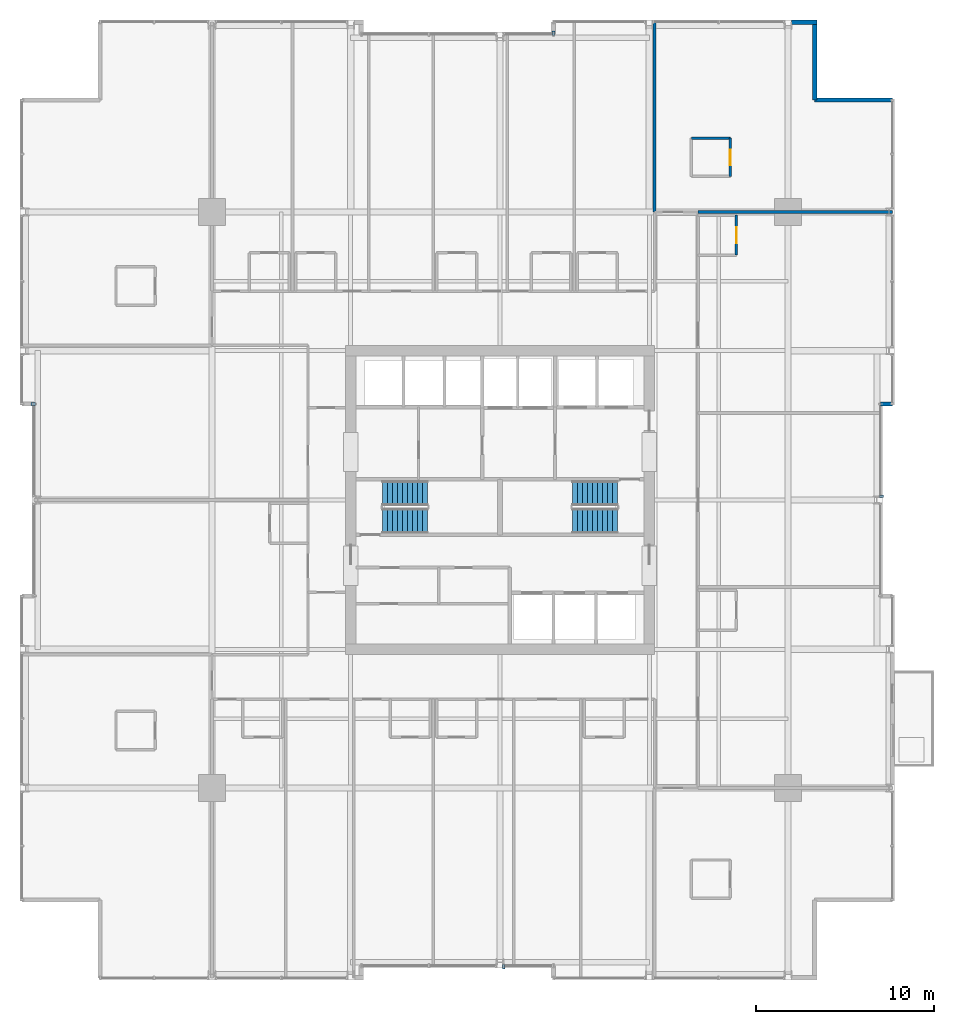
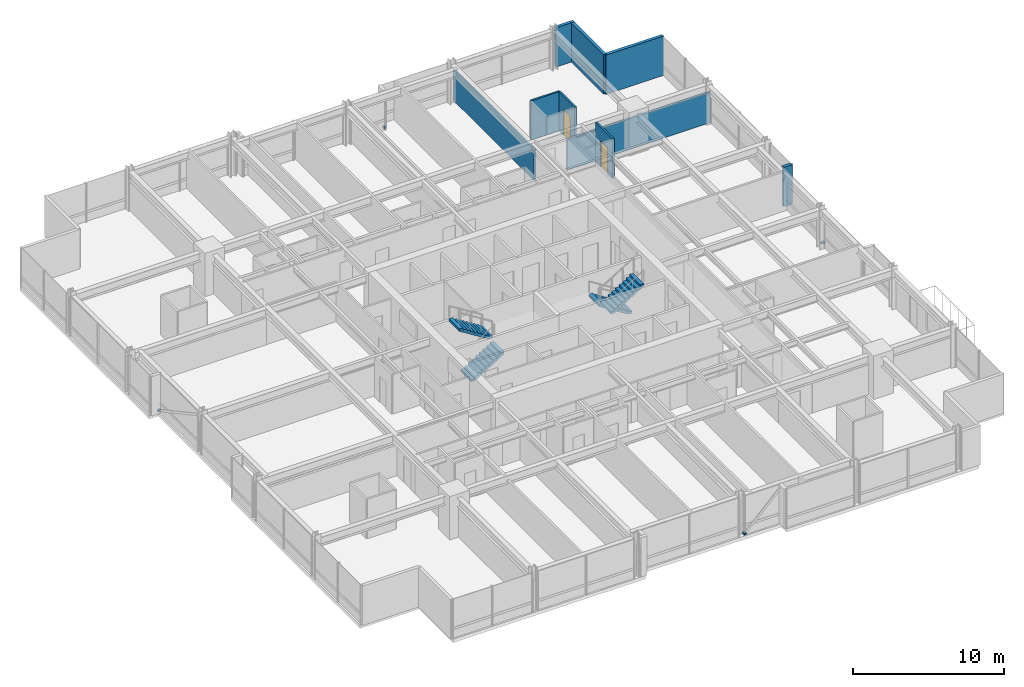
# One storey, part 32 of 35: 9 walls, 4 discrete accessories, 4 stair flights, 2 doors, 2 openings, 2 elements without a shape of their own.
"""IFC4 building model written with IfcOpenShell, lengths in metres."""

import ifcopenshell
import ifcopenshell.guid

model = None  # the IFC model being written
_history = None  # IfcOwnerHistory: only IFC2X3 demands one
_inside = {}  # id of a spatial element -> (the spatial element, [elements in it])
_under = {}  # id of a project, library or spatial element -> (it, [spatial elements below it])
_declared = {}  # id of a project -> (the project, [libraries it declares])
_typed = {}  # id of a type object -> (the type object, [elements of that type])
_made_of = {}  # id of a material, layer set ... -> (it, [elements and type objects made of it])


def new_model(schema):
    """Start an empty IFC model of exactly this schema.

    Asked for "IFC4X3", IfcOpenShell would pick the latest addendum, in which some entities
    have other attributes; the version numbers below select the first issue.
    IFC2X3 requires an IfcOwnerHistory on every rooted entity: one is made here for all.
    """
    global model, _history
    if schema == "IFC4X3":
        model = ifcopenshell.file(schema_version=(4, 3, 0, 0))
    else:
        model = ifcopenshell.file(schema=schema)
    _inside.clear()
    _under.clear()
    _declared.clear()
    _typed.clear()
    _made_of.clear()
    _history = None
    if model.schema == "IFC2X3":
        org = make("IfcOrganization", Name="unknown")
        user = make(
            "IfcPersonAndOrganization",
            ThePerson=make("IfcPerson", FamilyName="unknown"),
            TheOrganization=org,
        )
        app = make(
            "IfcApplication",
            ApplicationDeveloper=org,
            Version="unknown",
            ApplicationFullName="unknown",
            ApplicationIdentifier="unknown",
        )
        _history = make(
            "IfcOwnerHistory",
            OwningUser=user,
            OwningApplication=app,
            ChangeAction="ADDED",
            CreationDate=0,
        )
    return model


def make(cls, **values):
    """One entity of the class cls with the attributes given. An attribute that is None is left unset."""
    return model.create_entity(
        cls, **{name: value for name, value in values.items() if value is not None}
    )


def rooted(cls, **values):
    """An entity with a GlobalId (a new one), such as an element, a storey or a relation."""
    return make(cls, GlobalId=ifcopenshell.guid.new(), OwnerHistory=_history, **values)


def si_unit(unit_type, name, prefix=None):
    """IfcSIUnit, for example si_unit("LENGTHUNIT", "METRE", prefix="MILLI")."""
    return make("IfcSIUnit", UnitType=unit_type, Prefix=prefix, Name=name)


def assignment(units):
    """IfcUnitAssignment: the units of a project."""
    return None if units is None else make("IfcUnitAssignment", Units=units)


def point(xyz):
    """IfcCartesianPoint."""
    return None if xyz is None else make("IfcCartesianPoint", Coordinates=xyz)


def direction(xyz):
    """IfcDirection."""
    return None if xyz is None else make("IfcDirection", DirectionRatios=xyz)


def frame(location, z_axis=None, x_axis=None):
    """IfcAxis2Placement3D, a coordinate frame: its origin and axes. An axis left out is left unset."""
    return make(
        "IfcAxis2Placement3D",
        Location=point(location),
        Axis=direction(z_axis),
        RefDirection=direction(x_axis),
    )


def frame_2d(location, x_axis=None):
    """IfcAxis2Placement2D, a coordinate frame in the plane: its origin and x axis."""
    return make(
        "IfcAxis2Placement2D", Location=point(location), RefDirection=direction(x_axis)
    )


def origin():
    """The frame at (0, 0, 0) with its axes left unset."""
    return frame((0.0, 0.0, 0.0))


def origin_2d():
    """The frame at (0, 0) in the plane with its x axis left unset."""
    return frame_2d((0.0, 0.0))


def place(relative_to, where):
    """IfcLocalPlacement: puts the frame where relative to a parent placement (None: the world)."""
    return make(
        "IfcLocalPlacement", PlacementRelTo=relative_to, RelativePlacement=where
    )


def context(
    kind, dimensions, precision=None, world=None, true_north=None, identifier=None
):
    """IfcGeometricRepresentationContext, for example the 3D "Model" context."""
    return make(
        "IfcGeometricRepresentationContext",
        ContextIdentifier=identifier,
        ContextType=kind,
        CoordinateSpaceDimension=dimensions,
        Precision=precision,
        WorldCoordinateSystem=world,
        TrueNorth=true_north,
    )


def subcontext(parent, identifier, kind, view, scale=None):
    """IfcGeometricRepresentationSubContext, for example "Body" below "Model"."""
    return make(
        "IfcGeometricRepresentationSubContext",
        ContextIdentifier=identifier,
        ContextType=kind,
        ParentContext=parent,
        TargetScale=scale,
        TargetView=view,
    )


def project(units=None, contexts=None):
    """IfcProject with its units and contexts."""
    return rooted(
        "IfcProject",
        Name="project",
        RepresentationContexts=contexts,
        UnitsInContext=assignment(units),
    )


def spatial(cls, under=None, at=None, **own):
    """A site, building, storey or space (cls), placed at a placement, below another one or the project."""
    s = rooted(cls, ObjectPlacement=at, **own)
    if under is not None:
        _under.setdefault(under.id(), (under, []))[1].append(s)
    return s


def polyline(points):
    """IfcPolyline through the points."""
    return make("IfcPolyline", Points=[point(p) for p in points])


def profile(cls, at=None, kind="AREA", **sizes):
    """A parametric profile (cls). Its sizes go by their IFC names, for example OverallWidth=200.0."""
    return make(cls, ProfileType=kind, Position=at, **sizes)


def rectangle(**sizes):
    """IfcRectangleProfileDef."""
    return profile("IfcRectangleProfileDef", **sizes)


def outline(outer, holes=None, kind="AREA"):
    """IfcArbitraryClosedProfileDef: a profile drawn as a closed curve; with holes, ...WithVoids."""
    if holes is None:
        return make("IfcArbitraryClosedProfileDef", ProfileType=kind, OuterCurve=outer)
    return make(
        "IfcArbitraryProfileDefWithVoids",
        ProfileType=kind,
        OuterCurve=outer,
        InnerCurves=holes,
    )


def extrude(swept, where, along, depth):
    """IfcExtrudedAreaSolid: the profile swept, set in the frame where, extruded along a direction by depth."""
    return make(
        "IfcExtrudedAreaSolid",
        SweptArea=swept,
        Position=where,
        ExtrudedDirection=direction(along),
        Depth=depth,
    )


def shape(context_of_items, identifier, shape_type, items):
    """IfcShapeRepresentation: the items that make up one representation, for example the "Body"."""
    return make(
        "IfcShapeRepresentation",
        ContextOfItems=context_of_items,
        RepresentationIdentifier=identifier,
        RepresentationType=shape_type,
        Items=items,
    )


def material(Name=None, Category=None):
    """IfcMaterial."""
    return make("IfcMaterial", Name=Name, Category=Category)


def layer(
    of_material, thickness, ventilated=None, Name=None, Category=None, Priority=None
):
    """IfcMaterialLayer: one layer of a wall or slab, of a material (None: an air gap)."""
    return make(
        "IfcMaterialLayer",
        Material=of_material,
        LayerThickness=thickness,
        IsVentilated=ventilated,
        Name=Name,
        Category=Category,
        Priority=Priority,
    )


def layer_set(layers, Name=None):
    """IfcMaterialLayerSet."""
    return make("IfcMaterialLayerSet", MaterialLayers=layers, LayerSetName=Name)


def made_of(thing, what):
    """Note that an element or type object is made of a material, layer set ...; save() writes the relation."""
    if what is not None:
        _made_of.setdefault(what.id(), (what, []))[1].append(thing)
    return thing


def type_object(cls, material=None, **own):
    """A type object (cls), such as IfcWallType, which elements share."""
    return made_of(rooted(cls, **own), material)


def element(
    cls,
    number,
    at=None,
    inside=None,
    cuts=None,
    type_object=None,
    material=None,
    context=None,
    identifier="Body",
    shape_type=None,
    held_by="IfcProductDefinitionShape",
    body=None,
    shapes=None,
    **own,
):
    """One element of the class cls, such as IfcWall. Its Tag is "e" and its number.

    at: its placement. inside: the storey or other place that contains it. cuts: it is an
    opening in that element (IfcRelVoidsElement). A single representation is given by context,
    identifier, shape_type and body (its items); several are given by shapes. held_by: the class
    of the entity that holds the representations. save() writes the other relations.
    """
    e = rooted(cls, Tag="e%d" % number, ObjectPlacement=at, **own)
    if body is not None:
        shapes = [shape(context, identifier, shape_type, body)]
    if shapes is not None:
        e.Representation = make(held_by, Representations=shapes)
    if inside is not None:
        _inside.setdefault(inside.id(), (inside, []))[1].append(e)
    if cuts is not None:
        rooted(
            "IfcRelVoidsElement", RelatingBuildingElement=cuts, RelatedOpeningElement=e
        )
    if type_object is not None:
        _typed.setdefault(type_object.id(), (type_object, []))[1].append(e)
    return made_of(e, material)


def fill(opening, filler):
    """IfcRelFillsElement: the door or window that sits in an opening."""
    return rooted(
        "IfcRelFillsElement",
        RelatingOpeningElement=opening,
        RelatedBuildingElement=filler,
    )


def aggregate(whole, parts):
    """IfcRelAggregates: a whole, such as a stair, and the parts it consists of."""
    return rooted("IfcRelAggregates", RelatingObject=whole, RelatedObjects=parts)


def save(model, path):
    """Write the relations noted so far, then the file.

    IfcRelAggregates (storeys below a building ...), IfcRelContainedInSpatialStructure (elements
    in a storey), IfcRelDefinesByType, IfcRelAssociatesMaterial and IfcRelDeclares: one each for
    every whole, place, type object, material and project.
    """
    for whole, parts in _under.values():
        aggregate(whole, parts)
    for where, things in _inside.values():
        rooted(
            "IfcRelContainedInSpatialStructure",
            RelatedElements=things,
            RelatingStructure=where,
        )
    for kind, things in _typed.values():
        rooted("IfcRelDefinesByType", RelatedObjects=things, RelatingType=kind)
    for what, things in _made_of.values():
        rooted("IfcRelAssociatesMaterial", RelatedObjects=things, RelatingMaterial=what)
    for by, libraries in _declared.values():
        rooted("IfcRelDeclares", RelatingContext=by, RelatedDefinitions=libraries)
    model.write(path)


model = new_model("IFC4")

# Units and contexts
model_context = context("Model", 3, precision=1e-05, world=origin(), true_north=direction((0.0, 1.0)))
body_context = subcontext(model_context, "Body", "Model", "MODEL_VIEW")
ifc_project = project(units=[si_unit("LENGTHUNIT", "METRE"), si_unit("AREAUNIT", "SQUARE_METRE"), si_unit("VOLUMEUNIT", "CUBIC_METRE"), si_unit("PLANEANGLEUNIT", "RADIAN"), si_unit("MASSUNIT", "GRAM", prefix="KILO")], contexts=[model_context])

# Site, building, storey
site_placement = place(None, origin())
site = spatial("IfcSite", under=ifc_project, at=site_placement, CompositionType="ELEMENT")
building_placement = place(site_placement, origin())
building = spatial("IfcBuilding", under=site, at=building_placement, Name="Drelvath Grand Hotel", CompositionType="ELEMENT")
storey_placement = place(building_placement, frame((0.0, 0.0, 137.300048828125)))
storey = spatial("IfcBuildingStorey", under=building, at=storey_placement, Name="L35", CompositionType="ELEMENT", Elevation=137.300048828125)

# Wall
ifc_material_1 = material(Name="Moisture-Resistant Gypsum Board")
ifc_layer_1 = layer(ifc_material_1, 0.139892578125)
ifc_layer_set_1 = layer_set([ifc_layer_1], Name="Moisture-Resistant Gypsum Board")
wall_type_1 = type_object("IfcWallType", Name="En-Suite Plumbing Wall 140", PredefinedType="PLUMBINGWALL", material=ifc_layer_set_1)
wall_1_placement = place(storey_placement, frame((10.760009765625, 47.35009765625, 0.0), z_axis=(0.0, 0.0, 1.0), x_axis=(1.0, 0.0, 0.0)))
element("IfcWall", 1, at=wall_1_placement, inside=storey, type_object=wall_type_1, Name="L35 Corner En-Suite North", PredefinedType="PLUMBINGWALL", context=body_context, shape_type="SweptSolid", body=[
    extrude(rectangle(XDim=2.199951171875, YDim=0.139892578125, at=frame_2d((1.10009765625, 0.0))), origin(), (0.0, 0.0, 1.0), 3.179931640625),
])

# Wall, opening, door
wall_2_placement = place(storey_placement, frame((12.9599609375, 45.199951171875, 0.0), z_axis=(0.0, 0.0, 1.0), x_axis=(0.0, 1.0, 0.0)))
wall_2 = element("IfcWall", 2, at=wall_2_placement, inside=storey, type_object=wall_type_1, Name="L35 Corner En-Suite East", PredefinedType="PLUMBINGWALL", context=body_context, shape_type="SweptSolid", body=[
    extrude(rectangle(XDim=2.150146484375, YDim=0.139892578125, at=frame_2d((1.0751953125, 0.0))), origin(), (0.0, 0.0, 1.0), 3.179931640625),
])
opening_1_placement = place(wall_2_placement, frame((0.6201171875, 0.0, 0.0)))
opening_1 = element("IfcOpeningElement", 3, at=opening_1_placement, cuts=wall_2, Name="Opening D-T2G5-027", PredefinedType="OPENING", context=body_context, shape_type="SweptSolid", body=[
    extrude(rectangle(XDim=0.8798828125, YDim=2.10009765625, at=frame_2d((0.43994140625, 1.050048828125))), frame((0.0, 0.079833984375, 0.0), z_axis=(0.0, -1.0, 0.0), x_axis=(1.0, 0.0, 0.0)), (0.0, 0.0, 1.0), 0.159912109375),
])
ifc_material_2 = material(Name="Hardwood Walnut Timber", Category="wood")
door_type = type_object("IfcDoorType", Name="En-Suite Bathroom Door 880x2100", OperationType="NOTDEFINED", PredefinedType="DOOR", material=ifc_material_2)
door_1_placement = place(opening_1_placement, origin())
door_1 = element("IfcDoor", 4, at=door_1_placement, inside=storey, type_object=door_type, Name="L35 Corner En-Suite Door", OperationType="SINGLE_SWING_RIGHT", OverallHeight=2.10009765625, OverallWidth=0.8798828125, PredefinedType="DOOR", context=body_context, shape_type="SweptSolid", body=[
    extrude(rectangle(XDim=0.8798828125, YDim=2.10009765625, at=frame_2d((0.43994140625, 1.050048828125))), frame((0.0, 0.02490234375, 0.0), z_axis=(0.0, -1.0, 0.0), x_axis=(1.0, 0.0, 0.0)), (0.0, 0.0, 1.0), 0.050048828125),
])
fill(opening_1, door_1)

wall_3_placement = place(storey_placement, frame((13.300048828125, 40.77001953125, 0.0), z_axis=(0.0, 0.0, 1.0), x_axis=(0.0, 1.0, 0.0)))
wall_3 = element("IfcWall", 5, at=wall_3_placement, inside=storey, type_object=wall_type_1, Name="L35 En-Suite Front Wall", PredefinedType="PLUMBINGWALL", context=body_context, shape_type="SweptSolid", body=[
    extrude(rectangle(XDim=2.25, YDim=0.139892578125, at=frame_2d((1.125, 0.0))), origin(), (0.0, 0.0, 1.0), 3.179931640625),
])
opening_2_placement = place(wall_3_placement, frame((0.68505859375, 0.0, 0.0)))
opening_2 = element("IfcOpeningElement", 6, at=opening_2_placement, cuts=wall_3, Name="Opening D-T2G5-053", PredefinedType="OPENING", context=body_context, shape_type="SweptSolid", body=[
    extrude(rectangle(XDim=0.8798828125, YDim=2.10009765625, at=frame_2d((0.43994140625, 1.050048828125))), frame((0.0, 0.079833984375, 0.0), z_axis=(0.0, -1.0, 0.0), x_axis=(1.0, 0.0, 0.0)), (0.0, 0.0, 1.0), 0.159912109375),
])
door_2_placement = place(opening_2_placement, origin())
door_2 = element("IfcDoor", 7, at=door_2_placement, inside=storey, type_object=door_type, Name="L35 En-Suite Bathroom Door", OperationType="SINGLE_SWING_RIGHT", OverallHeight=2.10009765625, OverallWidth=0.8798828125, PredefinedType="DOOR", context=body_context, shape_type="SweptSolid", body=[
    extrude(rectangle(XDim=0.8798828125, YDim=2.10009765625, at=frame_2d((0.43994140625, 1.050048828125))), frame((0.0, 0.02490234375, 0.0), z_axis=(0.0, -1.0, 0.0), x_axis=(1.0, 0.0, 0.0)), (0.0, 0.0, 1.0), 0.050048828125),
])
fill(opening_2, door_2)

# Walls
ifc_material_3 = material(Name="Gypsum Acoustic Partition")
ifc_layer_2 = layer(ifc_material_3, 0.1650390625)
ifc_layer_set_2 = layer_set([ifc_layer_2], Name="Gypsum Acoustic Partition")
wall_type_2 = type_object("IfcWallType", Name="Suite Demising Wall 165", PredefinedType="PARTITIONING", material=ifc_layer_set_2)
wall_4_placement = place(storey_placement, frame((8.699951171875, 43.199951171875, 0.0), z_axis=(0.0, 0.0, 1.0), x_axis=(0.0, 1.0, 0.0)))
element("IfcWall", 8, at=wall_4_placement, inside=storey, type_object=wall_type_2, Name="L35 NE Suite West Wall", PredefinedType="PARTITIONING", context=body_context, shape_type="SweptSolid", body=[
    extrude(rectangle(XDim=10.679931640625, YDim=0.1650390625, at=frame_2d((5.33984375, 0.0))), origin(), (0.0, 0.0, 1.0), 2.469482421875),
])
wall_5_placement = place(storey_placement, frame((11.14990234375, 43.199951171875, 0.0), z_axis=(0.0, 0.0, 1.0), x_axis=(1.0, 0.0, 0.0)))
element("IfcWall", 9, at=wall_5_placement, inside=storey, type_object=wall_type_2, Name="L35 NE Suite South Wall", PredefinedType="PARTITIONING", context=body_context, shape_type="SweptSolid", body=[
    extrude(rectangle(XDim=10.93017578125, YDim=0.1650390625, at=frame_2d((5.465087890625, 0.0))), origin(), (0.0, 0.0, 1.0), 2.469482421875),
])
ifc_material_4 = material(Name="Pale-Metal Insulated Aluminium Spandrel Assembly", Category="aluminium")
ifc_layer_3 = layer(ifc_material_4, 0.239990234375)
ifc_layer_set_3 = layer_set([ifc_layer_3], Name="Pale-Metal Insulated Aluminium Spandrel Assembly")
wall_type_3 = type_object("IfcWallType", Name="Tower Insulated Metal Spandrel Closure Wall 240", PredefinedType="STANDARD", material=ifc_layer_set_3)
wall_6_placement = place(storey_placement, frame((16.409423828125, 53.8798828125, 0.0), z_axis=(0.0, 0.0, 1.0), x_axis=(1.0, 0.0, 0.0)))
element("IfcWall", 10, at=wall_6_placement, inside=storey, type_object=wall_type_3, Name="L35 Corner Pier Spandrel Wall NE3", PredefinedType="STANDARD", context=body_context, shape_type="SweptSolid", body=[
    extrude(rectangle(XDim=1.41064453125, YDim=0.239990234375, at=frame_2d((0.705322265625, 0.0))), origin(), (0.0, 0.0, 1.0), 3.179931640625),
])
wall_7_placement = place(storey_placement, frame((17.699951171875, 53.760009765625, 0.0), z_axis=(0.0, 0.0, 1.0), x_axis=(0.0, -1.0, 0.0)))
element("IfcWall", 11, at=wall_7_placement, inside=storey, type_object=wall_type_3, Name="L35 Notched Corner Return Spandrel Wall CNE1", PredefinedType="STANDARD", context=body_context, shape_type="SweptSolid", body=[
    extrude(rectangle(XDim=4.260009765625, YDim=0.239990234375, at=frame_2d((2.1298828125, 0.0))), origin(), (0.0, 0.0, 1.0), 3.179931640625),
])
wall_8_placement = place(storey_placement, frame((17.699951171875, 49.5, 0.0), z_axis=(0.0, 0.0, 1.0), x_axis=(1.0, 0.0, 0.0)))
element("IfcWall", 12, at=wall_8_placement, inside=storey, type_object=wall_type_3, Name="L35 Notched Corner Return Spandrel Wall CNE2", PredefinedType="STANDARD", context=body_context, shape_type="SweptSolid", body=[
    extrude(rectangle(XDim=4.380126953125, YDim=0.239990234375, at=frame_2d((2.18994140625, 0.0))), origin(), (0.0, 0.0, 1.0), 3.179931640625),
])
wall_9_placement = place(storey_placement, frame((22.080078125, 32.39990234375, 0.0), z_axis=(0.0, 0.0, 1.0), x_axis=(-1.0, 0.0, 0.0)))
element("IfcWall", 13, at=wall_9_placement, inside=storey, type_object=wall_type_3, Name="L35 Notched Corner Return Spandrel Wall RE1", PredefinedType="STANDARD", context=body_context, shape_type="SweptSolid", body=[
    extrude(rectangle(XDim=0.68017578125, YDim=0.239990234375, at=frame_2d((0.340087890625, 0.0))), origin(), (0.0, 0.0, 1.0), 3.179931640625),
])

# Stair, stair flights
ifc_material_5 = material(Name="Concrete C40/50", Category="concrete")
stair_type = type_object("IfcStairType", Name="Dogleg Exit Stair W1400-R175.0", PredefinedType="HALF_TURN_STAIR", material=ifc_material_5)
stair_1_placement = place(storey_placement, origin())
stair_1 = element("IfcStair", 14, at=stair_1_placement, inside=storey, type_object=stair_type, Name="L35 Core Exit Stair ST-1", PredefinedType="HALF_TURN_STAIR")
stair_flight_type = type_object("IfcStairFlightType", Name="Concrete Stair Flight W1400-R175.0", PredefinedType="STRAIGHT", material=ifc_material_5)
stair_flight_1_placement = place(storey_placement, frame((-6.60009765625, 25.820068359375, 0.0), z_axis=(0.0, 0.0, 1.0), x_axis=(1.0, 0.0, 0.0)))
stair_flight_1 = element("IfcStairFlight", 15, at=stair_flight_1_placement, type_object=stair_flight_type, Name="ST-1 flight 1", NumberOfRisers=10, NumberOfTreads=9, PredefinedType="STRAIGHT", RiserHeight=0.175, TreadLength=0.28, context=body_context, shape_type="SweptSolid", body=[
    extrude(outline(polyline([(0.0, 0.0), (0.0, 0.175048828125), (0.280029296875, 0.175048828125), (0.280029296875, 0.35009765625), (0.56005859375, 0.35009765625), (0.56005859375, 0.52490234375), (0.840087890625, 0.52490234375), (0.840087890625, 0.699951171875), (1.1201171875, 0.699951171875), (1.1201171875, 0.875), (1.39990234375, 0.875), (1.39990234375, 1.050048828125), (1.679931640625, 1.050048828125), (1.679931640625, 1.22509765625), (1.9599609375, 1.22509765625), (1.9599609375, 1.39990234375), (2.239990234375, 1.39990234375), (2.239990234375, 1.574951171875), (2.52001953125, 1.574951171875), (2.52001953125, 1.75), (2.52001953125, 1.386474609375), (0.3017578125, 0.0), (0.0, 0.0)])), frame((0.0, 0.699951171875, 0.0), z_axis=(0.0, -1.0, 0.0), x_axis=(1.0, 0.0, 0.0)), (0.0, 0.0, 1.0), 1.39990234375),
])
stair_flight_2_placement = place(storey_placement, frame((-4.080078125, 27.3798828125, 1.75), z_axis=(0.0, 0.0, 1.0), x_axis=(-1.0, 0.0, 0.0)))
stair_flight_2 = element("IfcStairFlight", 16, at=stair_flight_2_placement, type_object=stair_flight_type, Name="ST-1 flight 2", NumberOfRisers=10, NumberOfTreads=9, PredefinedType="STRAIGHT", RiserHeight=0.175, TreadLength=0.28, context=body_context, shape_type="SweptSolid", body=[
    extrude(outline(polyline([(0.0, 0.0), (0.0, 0.175048828125), (0.280029296875, 0.175048828125), (0.280029296875, 0.35009765625), (0.56005859375, 0.35009765625), (0.56005859375, 0.52490234375), (0.840087890625, 0.52490234375), (0.840087890625, 0.699951171875), (1.1201171875, 0.699951171875), (1.1201171875, 0.875), (1.39990234375, 0.875), (1.39990234375, 1.050048828125), (1.679931640625, 1.050048828125), (1.679931640625, 1.22509765625), (1.9599609375, 1.22509765625), (1.9599609375, 1.39990234375), (2.239990234375, 1.39990234375), (2.239990234375, 1.574951171875), (2.52001953125, 1.574951171875), (2.52001953125, 1.75), (2.52001953125, 1.386474609375), (0.3017578125, 0.0), (0.0, 0.0)])), frame((0.0, 0.699951171875, 0.0), z_axis=(0.0, -1.0, 0.0), x_axis=(1.0, 0.0, 0.0)), (0.0, 0.0, 1.0), 1.39990234375),
])
aggregate(stair_1, [stair_flight_1, stair_flight_2])

stair_2_placement = place(storey_placement, origin())
stair_2 = element("IfcStair", 17, at=stair_2_placement, inside=storey, type_object=stair_type, Name="L35 Core Exit Stair ST-2", PredefinedType="HALF_TURN_STAIR")
stair_flight_3_placement = place(storey_placement, frame((6.60009765625, 27.3798828125, 0.0), z_axis=(0.0, 0.0, 1.0), x_axis=(-1.0, 0.0, 0.0)))
stair_flight_3 = element("IfcStairFlight", 18, at=stair_flight_3_placement, type_object=stair_flight_type, Name="ST-2 flight 1", NumberOfRisers=10, NumberOfTreads=9, PredefinedType="STRAIGHT", RiserHeight=0.175, TreadLength=0.28, context=body_context, shape_type="SweptSolid", body=[
    extrude(outline(polyline([(0.0, 0.0), (0.0, 0.175048828125), (0.280029296875, 0.175048828125), (0.280029296875, 0.35009765625), (0.56005859375, 0.35009765625), (0.56005859375, 0.52490234375), (0.840087890625, 0.52490234375), (0.840087890625, 0.699951171875), (1.1201171875, 0.699951171875), (1.1201171875, 0.875), (1.39990234375, 0.875), (1.39990234375, 1.050048828125), (1.679931640625, 1.050048828125), (1.679931640625, 1.22509765625), (1.9599609375, 1.22509765625), (1.9599609375, 1.39990234375), (2.239990234375, 1.39990234375), (2.239990234375, 1.574951171875), (2.52001953125, 1.574951171875), (2.52001953125, 1.75), (2.52001953125, 1.386474609375), (0.3017578125, 0.0), (0.0, 0.0)])), frame((0.0, 0.699951171875, 0.0), z_axis=(0.0, -1.0, 0.0), x_axis=(1.0, 0.0, 0.0)), (0.0, 0.0, 1.0), 1.39990234375),
])
stair_flight_4_placement = place(storey_placement, frame((4.080078125, 25.820068359375, 1.75), z_axis=(0.0, 0.0, 1.0), x_axis=(1.0, 0.0, 0.0)))
stair_flight_4 = element("IfcStairFlight", 19, at=stair_flight_4_placement, type_object=stair_flight_type, Name="ST-2 flight 2", NumberOfRisers=10, NumberOfTreads=9, PredefinedType="STRAIGHT", RiserHeight=0.175, TreadLength=0.28, context=body_context, shape_type="SweptSolid", body=[
    extrude(outline(polyline([(0.0, 0.0), (0.0, 0.175048828125), (0.280029296875, 0.175048828125), (0.280029296875, 0.35009765625), (0.56005859375, 0.35009765625), (0.56005859375, 0.52490234375), (0.840087890625, 0.52490234375), (0.840087890625, 0.699951171875), (1.1201171875, 0.699951171875), (1.1201171875, 0.875), (1.39990234375, 0.875), (1.39990234375, 1.050048828125), (1.679931640625, 1.050048828125), (1.679931640625, 1.22509765625), (1.9599609375, 1.22509765625), (1.9599609375, 1.39990234375), (2.239990234375, 1.39990234375), (2.239990234375, 1.574951171875), (2.52001953125, 1.574951171875), (2.52001953125, 1.75), (2.52001953125, 1.386474609375), (0.3017578125, 0.0), (0.0, 0.0)])), frame((0.0, 0.699951171875, 0.0), z_axis=(0.0, -1.0, 0.0), x_axis=(1.0, 0.0, 0.0)), (0.0, 0.0, 1.0), 1.39990234375),
])
aggregate(stair_2, [stair_flight_3, stair_flight_4])

# Discrete accessories
ifc_material_6 = material(Name="Stainless Steel Grade 316", Category="steel")
discrete_accessory_type = type_object("IfcDiscreteAccessoryType", Name="Curtain Wall Fin Mounting Bracket Cleat", PredefinedType="BRACKET", material=ifc_material_6)
for number, where, z_axis, x_axis, name in (
    (20, (-26.260009765625, 32.39990234375, 0.10009765625), (0.0, 0.0, 1.0), (0.0, 1.0, 0.0), "L35 Fin Mounting Bracket CW03-L35-WM2-1"),
    (21, (21.4599609375, 27.20947265625, 0.10009765625), (0.0, 0.0, 1.0), (0.0, -1.0, 0.0), "L35 Fin Mounting Bracket CW03-L35-EM2-1"),
    (22, (3.0, 53.260009765625, 0.10009765625), (0.0, 0.0, 1.0), (1.0, 0.0, 0.0), "L35 Fin Mounting Bracket CW03-L35-NM2-1"),
    (23, (0.20947265625, 0.739990234375, 0.10009765625), (0.0, 0.0, 1.0), (-1.0, 0.0, 0.0), "L35 Fin Mounting Bracket CW03-L35-SM2-1"),
):
    element("IfcDiscreteAccessory", number, at=place(storey_placement, frame(where, z_axis=z_axis, x_axis=x_axis)), inside=storey, type_object=discrete_accessory_type, Name=name, PredefinedType="BRACKET", context=body_context, shape_type="SweptSolid", body=[
        extrude(rectangle(XDim=0.159912109375, YDim=0.239990234375, at=origin_2d()), origin(), (0.0, 0.0, 1.0), 0.159912109375),
    ])

save(model, "model.ifc")
